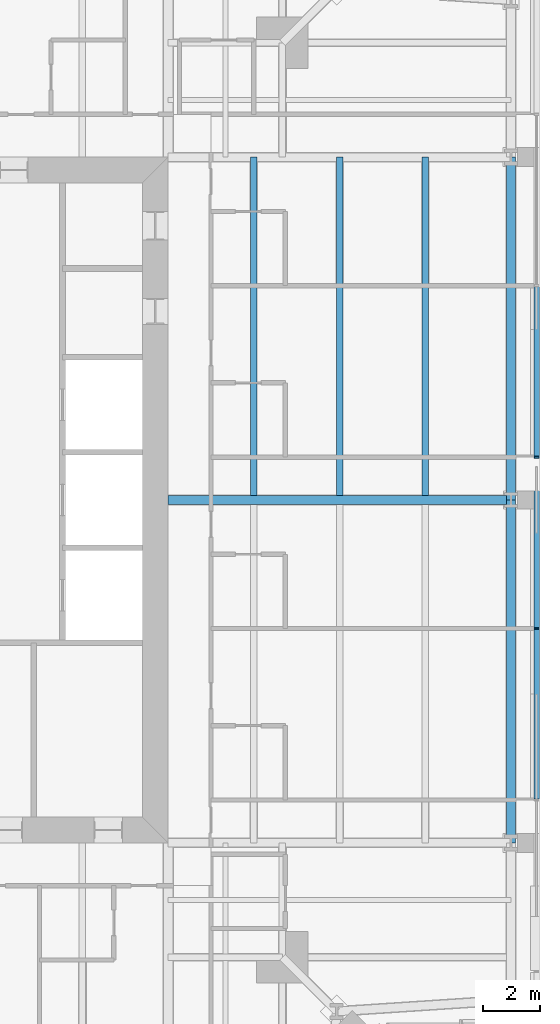
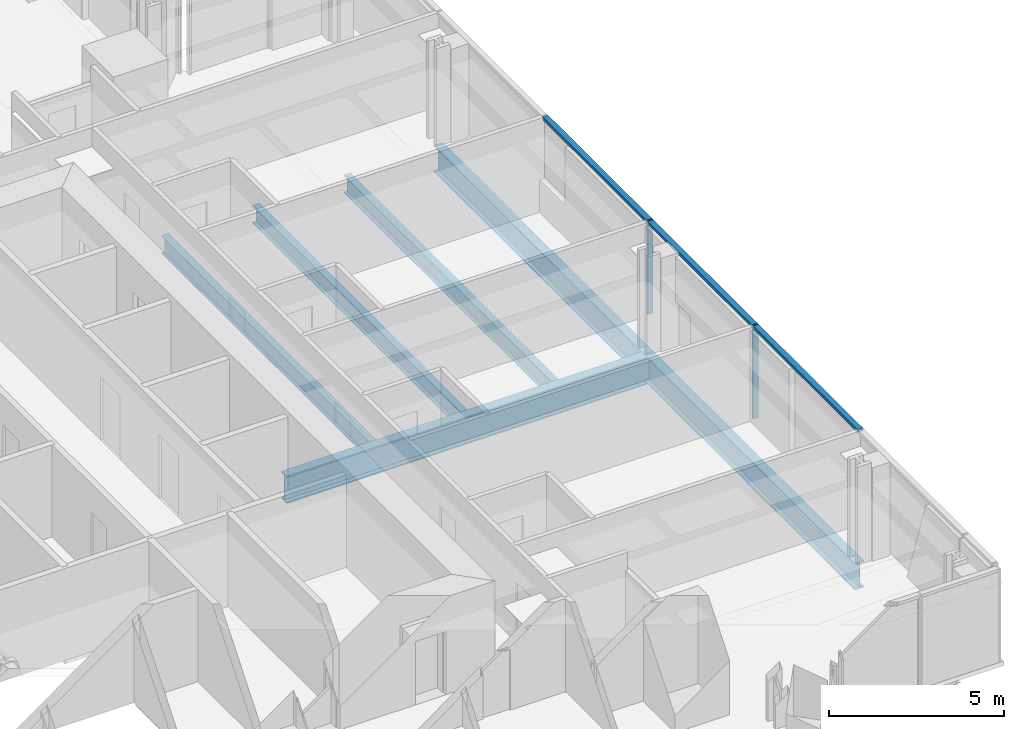
# One storey, part 6 of 20: 6 beams, 5 members, 1 element without a shape of its own.
"""IFC4 building model written with IfcOpenShell, lengths in metres."""

from ifc_helpers import new_model, si_unit, direction, frame, origin, origin_2d, place, context, subcontext, project, spatial, rectangle, i_section, extrude, material, material_profile, profile_set, type_object, element, aggregate, save


model = new_model("IFC4")

# Units and contexts
model_context = context("Model", 3, precision=1e-05, world=origin(), true_north=direction((0.0, 1.0)))
body_context = subcontext(model_context, "Body", "Model", "MODEL_VIEW")
ifc_project = project(units=[si_unit("LENGTHUNIT", "METRE"), si_unit("AREAUNIT", "SQUARE_METRE"), si_unit("VOLUMEUNIT", "CUBIC_METRE"), si_unit("PLANEANGLEUNIT", "RADIAN"), si_unit("MASSUNIT", "GRAM", prefix="KILO")], contexts=[model_context])

# Site, building, storey
site_placement = place(None, origin())
site = spatial("IfcSite", under=ifc_project, at=site_placement, CompositionType="ELEMENT")
building_placement = place(site_placement, origin())
building = spatial("IfcBuilding", under=site, at=building_placement, Name="Fenwick Lantern Interchange", CompositionType="ELEMENT")
storey_placement = place(building_placement, frame((0.0, 0.0, 249.199951171875)))
storey = spatial("IfcBuildingStorey", under=building, at=storey_placement, Name="L58", CompositionType="ELEMENT", Elevation=249.199951171875)

# Beams
ifc_material_1 = material(Name="Steel ASTM A992 Grade 50", Category="steel")
ifc_material_profile_1 = material_profile(ifc_material_1, i_section(OverallWidth=0.3046875, OverallDepth=0.911865234375, WebThickness=0.015869140625, FlangeThickness=0.02392578125, at=origin_2d()), Name="W36X150")
ifc_profile_set_1 = profile_set([ifc_material_profile_1], Name="Steel ASTM A992 Grade 50")
beam_type_1 = type_object("IfcBeamType", Name="EDGE BEAM W36X150", PredefinedType="SPANDREL", material=ifc_profile_set_1)
for number, where, z_axis, x_axis, name in (
    (1, (49.0, 13.0, -0.60595703125), (0.0, 1.0, 0.0), (-1.0, 0.0, 0.0), "L58/FR/E/EB2"),
    (2, (49.0, 25.0, -0.60595703125), (0.0, 1.0, 0.0), (-1.0, 0.0, 0.0), "L58/FR/E/EB3"),
):
    element("IfcBeam", number, at=place(storey_placement, frame(where, z_axis=z_axis, x_axis=x_axis)), inside=storey, type_object=beam_type_1, Name=name, PredefinedType="SPANDREL", context=body_context, shape_type="SweptSolid", body=[
        extrude(i_section(OverallWidth=0.3046875, OverallDepth=0.911865234375, WebThickness=0.015869140625, FlangeThickness=0.02392578125, at=origin_2d()), origin(), (0.0, 0.0, 1.0), 12.0),
    ])
ifc_material_profile_2 = material_profile(ifc_material_1, i_section(OverallWidth=0.22900390625, OverallDepth=0.612060546875, WebThickness=0.011962890625, FlangeThickness=0.01953125, at=origin_2d()), Name="W24X84")
ifc_profile_set_2 = profile_set([ifc_material_profile_2], Name="Steel ASTM A992 Grade 50")
beam_type_2 = type_object("IfcBeamType", Name="FLOOR BEAM W24X84", PredefinedType="BEAM", material=ifc_profile_set_2)
for number, where, z_axis, x_axis, name in (
    (3, (46.0, 25.155029296875, -0.4560546875), (0.0, 1.0, 0.0), (-1.0, 0.0, 0.0), "L58/FR/E/B04"),
    (4, (43.0, 25.155029296875, -0.4560546875), (0.0, 1.0, 0.0), (-1.0, 0.0, 0.0), "L58/FR/E/B05"),
    (5, (40.0, 25.155029296875, -0.4560546875), (0.0, 1.0, 0.0), (-1.0, 0.0, 0.0), "L58/FR/E/B06"),
):
    element("IfcBeam", number, at=place(storey_placement, frame(where, z_axis=z_axis, x_axis=x_axis)), inside=storey, type_object=beam_type_2, Name=name, PredefinedType="BEAM", context=body_context, shape_type="SweptSolid", body=[
        extrude(i_section(OverallWidth=0.22900390625, OverallDepth=0.612060546875, WebThickness=0.011962890625, FlangeThickness=0.01953125, at=origin_2d()), origin(), (0.0, 0.0, 1.0), 11.844970703125),
    ])

# Curtain wall, members
ifc_material_2 = material(Name="Aluminium curtain wall frame", Category="aluminium")
curtain_wall_type = type_object("IfcCurtainWallType", Name="HOTEL CURTAIN WALL", PredefinedType="USERDEFINED", material=ifc_material_2)
curtain_wall_placement = place(storey_placement, origin())
curtain_wall = element("IfcCurtainWall", 6, at=curtain_wall_placement, inside=storey, type_object=curtain_wall_type, Name="Hotel curtain wall 05", ObjectType="HOTEL CURTAIN WALL", PredefinedType="USERDEFINED")
ifc_material_3 = material(Name="Aluminium extrusion", Category="aluminium")
ifc_material_profile_3 = material_profile(ifc_material_3, rectangle(XDim=0.179931640625, YDim=0.06005859375, at=origin_2d()), Name="HOTEL CURTAIN WALL MULLION 60 X 180")
ifc_profile_set_3 = profile_set([ifc_material_profile_3], Name="Aluminium extrusion")
member_type_1 = type_object("IfcMemberType", Name="HOTEL CURTAIN WALL MULLION 60 X 180", PredefinedType="MULLION", material=ifc_profile_set_3)
member_1_placement = place(storey_placement, frame((49.89990234375, 20.5, 0.0), z_axis=(0.0, 0.0, 1.0), x_axis=(-1.0, 0.0, 0.0)))
member_1 = element("IfcMember", 7, at=member_1_placement, type_object=member_type_1, Name="L58/CW/05/M03", PredefinedType="MULLION", context=body_context, shape_type="SweptSolid", body=[
    extrude(rectangle(XDim=0.179931640625, YDim=0.06005859375, at=origin_2d()), origin(), (0.0, 0.0, 1.0), 3.25),
])
member_2_placement = place(storey_placement, frame((49.89990234375, 26.5, 0.0), z_axis=(0.0, 0.0, 1.0), x_axis=(-1.0, 0.0, 0.0)))
member_2 = element("IfcMember", 8, at=member_2_placement, type_object=member_type_1, Name="L58/CW/05/M04", PredefinedType="MULLION", context=body_context, shape_type="SweptSolid", body=[
    extrude(rectangle(XDim=0.179931640625, YDim=0.06005859375, at=origin_2d()), origin(), (0.0, 0.0, 1.0), 3.25),
])
ifc_material_profile_4 = material_profile(ifc_material_3, rectangle(XDim=0.179931640625, YDim=0.10009765625, at=origin_2d()), Name="HOTEL CURTAIN WALL TRANSOM 100 X 180")
ifc_profile_set_4 = profile_set([ifc_material_profile_4], Name="Aluminium extrusion")
member_type_2 = type_object("IfcMemberType", Name="HOTEL CURTAIN WALL TRANSOM 100 X 180", PredefinedType="MULLION", material=ifc_profile_set_4)
member_3_placement = place(storey_placement, frame((49.89990234375, 14.530029296875, 3.199951171875), z_axis=(0.0, 1.0, 0.0), x_axis=(-1.0, 0.0, 0.0)))
member_3 = element("IfcMember", 9, at=member_3_placement, type_object=member_type_2, Name="L58/CW/05/T02", PredefinedType="MULLION", context=body_context, shape_type="SweptSolid", body=[
    extrude(rectangle(XDim=0.179931640625, YDim=0.10009765625, at=origin_2d()), origin(), (0.0, 0.0, 1.0), 5.93994140625),
])
member_4_placement = place(storey_placement, frame((49.89990234375, 20.530029296875, 3.199951171875), z_axis=(0.0, 1.0, 0.0), x_axis=(-1.0, 0.0, 0.0)))
member_4 = element("IfcMember", 10, at=member_4_placement, type_object=member_type_2, Name="L58/CW/05/T03", PredefinedType="MULLION", context=body_context, shape_type="SweptSolid", body=[
    extrude(rectangle(XDim=0.179931640625, YDim=0.10009765625, at=origin_2d()), origin(), (0.0, 0.0, 1.0), 5.93994140625),
])
member_5_placement = place(storey_placement, frame((49.89990234375, 26.530029296875, 3.199951171875), z_axis=(0.0, 1.0, 0.0), x_axis=(-1.0, 0.0, 0.0)))
member_5 = element("IfcMember", 11, at=member_5_placement, type_object=member_type_2, Name="L58/CW/05/T04", PredefinedType="MULLION", context=body_context, shape_type="SweptSolid", body=[
    extrude(rectangle(XDim=0.179931640625, YDim=0.10009765625, at=origin_2d()), origin(), (0.0, 0.0, 1.0), 5.93994140625),
])
aggregate(curtain_wall, [member_1, member_2, member_3, member_4, member_5])

# Beam
ifc_material_profile_5 = material_profile(ifc_material_1, i_section(OverallWidth=0.309814453125, OverallDepth=0.949951171875, WebThickness=0.0244140625, FlangeThickness=0.0439453125, at=origin_2d()), Name="W36X256")
ifc_profile_set_5 = profile_set([ifc_material_profile_5], Name="Steel ASTM A992 Grade 50")
beam_type_3 = type_object("IfcBeamType", Name="MOMENT-CONNECTED GIRDER W36X256", PredefinedType="BEAM", material=ifc_profile_set_5)
beam_placement = place(storey_placement, frame((49.0, 25.0, -0.625), z_axis=(-1.0, 0.0, 0.0), x_axis=(0.0, -1.0, 0.0)))
element("IfcBeam", 12, at=beam_placement, inside=storey, type_object=beam_type_3, Name="L58/FR/E/R02", PredefinedType="BEAM", context=body_context, shape_type="SweptSolid", body=[
    extrude(i_section(OverallWidth=0.309814453125, OverallDepth=0.949951171875, WebThickness=0.0244140625, FlangeThickness=0.0439453125, at=origin_2d()), origin(), (0.0, 0.0, 1.0), 12.0),
])

save(model, "model.ifc")
